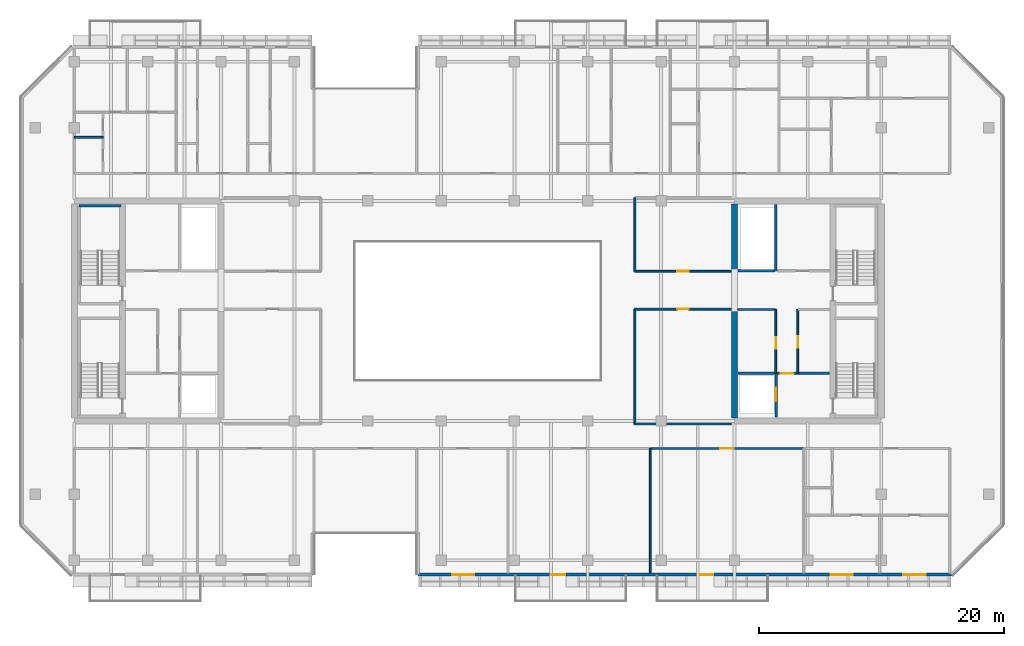
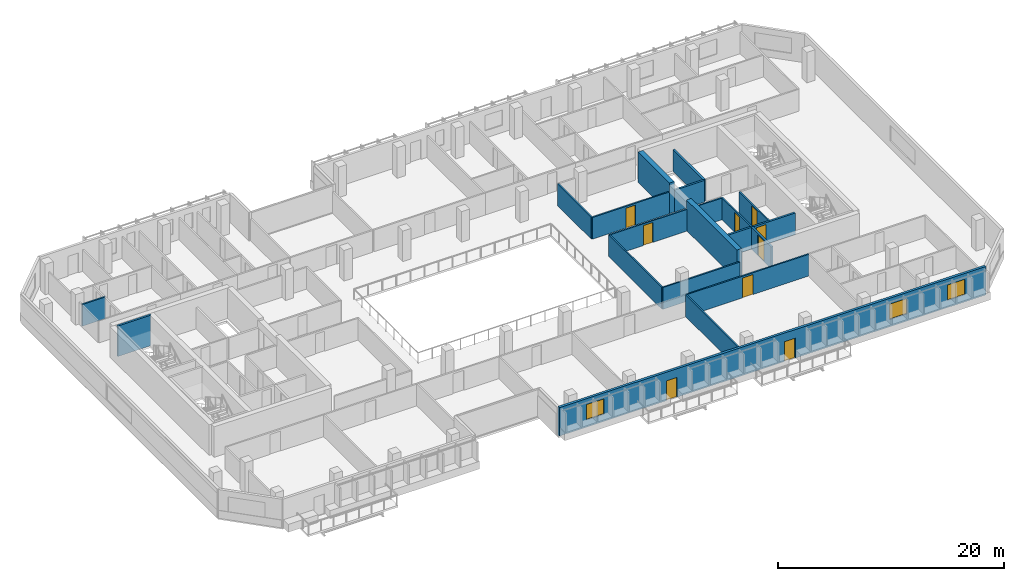
# One storey, part 10 of 19: 19 walls, 9 doors, 3 windows, 12 openings.
"""IFC4 building model written with IfcOpenShell, lengths in metres."""

from ifc_helpers import new_model, si_unit, direction, frame, frame_2d, origin, place, context, subcontext, project, spatial, rectangle, extrude, material, layer, layer_set, type_object, element, fill, save


model = new_model("IFC4")

# Units and contexts
model_context = context("Model", 3, precision=1e-05, world=origin(), true_north=direction((0.0, 1.0)))
body_context = subcontext(model_context, "Body", "Model", "MODEL_VIEW")
ifc_project = project(units=[si_unit("LENGTHUNIT", "METRE"), si_unit("AREAUNIT", "SQUARE_METRE"), si_unit("VOLUMEUNIT", "CUBIC_METRE"), si_unit("PLANEANGLEUNIT", "RADIAN"), si_unit("MASSUNIT", "GRAM", prefix="KILO")], contexts=[model_context])

# Site, building, storey
site_placement = place(None, origin())
site = spatial("IfcSite", under=ifc_project, at=site_placement, CompositionType="ELEMENT")
building_placement = place(site_placement, origin())
building = spatial("IfcBuilding", under=site, at=building_placement, Name="Tanjung Sevakor Pilgrim Tower", CompositionType="ELEMENT")
storey_placement = place(building_placement, frame((0.0, 0.0, 155.10009765625)))
storey = spatial("IfcBuildingStorey", under=building, at=storey_placement, Name="L43", CompositionType="ELEMENT", Elevation=155.10009765625)

# Walls
ifc_material_1 = material(Name="Concrete C60/75", Category="concrete")
ifc_layer_1 = layer(ifc_material_1, 0.5)
ifc_layer_set_1 = layer_set([ifc_layer_1], Name="WALL-CW-500")
wall_type_1 = type_object("IfcWallType", Name="WALL-CW-500", PredefinedType="SHEAR", material=ifc_layer_set_1)
wall_1_placement = place(storey_placement, frame((78.0, 24.85009765625, 0.0), z_axis=(0.0, 0.0, 1.0), x_axis=(0.0, 1.0, 0.0)))
element("IfcWall", 1, at=wall_1_placement, inside=storey, type_object=wall_type_1, Name="L43 E Core Inner Shear Wall South", PredefinedType="SHEAR", context=body_context, shape_type="SweptSolid", body=[
    extrude(rectangle(XDim=8.949951171875, YDim=0.5, at=frame_2d((4.47509765625, 0.0))), origin(), (0.0, 0.0, 1.0), 3.2998046875),
])
wall_2_placement = place(storey_placement, frame((78.0, 36.800048828125, 0.0), z_axis=(0.0, 0.0, 1.0), x_axis=(0.0, 1.0, 0.0)))
element("IfcWall", 2, at=wall_2_placement, inside=storey, type_object=wall_type_1, Name="L43 E Core Inner Shear Wall North", PredefinedType="SHEAR", context=body_context, shape_type="SweptSolid", body=[
    extrude(rectangle(XDim=5.550048828125, YDim=0.5, at=frame_2d((2.77490234375, 0.0))), origin(), (0.0, 0.0, 1.0), 3.2998046875),
])

# Wall, opening, door
ifc_material_2 = material(Name="Concrete C40/50", Category="concrete")
ifc_layer_2 = layer(ifc_material_2, 0.14990234375)
ifc_layer_set_2 = layer_set([ifc_layer_2], Name="WT-COMP-150")
wall_type_2 = type_object("IfcWallType", Name="WT-COMP-150", PredefinedType="SOLIDWALL", material=ifc_layer_set_2)
wall_3_placement = place(storey_placement, frame((83.179931640625, 28.5, 0.0), z_axis=(0.0, 0.0, 1.0), x_axis=(0.0, 1.0, 0.0)))
wall_3 = element("IfcWall", 3, at=wall_3_placement, inside=storey, type_object=wall_type_2, Name="L43 Partition IW-L43-013", PredefinedType="SOLIDWALL", context=body_context, shape_type="SweptSolid", body=[
    extrude(rectangle(XDim=5.219970703125, YDim=0.14990234375, at=frame_2d((2.60986328125, 0.0))), origin(), (0.0, 0.0, 1.0), 2.35009765625),
])
opening_1_placement = place(wall_3_placement, frame((2.10009765625, 0.0, 0.0)))
opening_1 = element("IfcOpeningElement", 4, at=opening_1_placement, cuts=wall_3, Name="Opening ID-FD2", PredefinedType="OPENING", context=body_context, shape_type="SweptSolid", body=[
    extrude(rectangle(XDim=0.949951171875, YDim=2.14990234375, at=frame_2d((0.47509765625, 1.074951171875))), frame((0.0, 0.0849609375, 0.0), z_axis=(0.0, -1.0, 0.0), x_axis=(1.0, 0.0, 0.0)), (0.0, 0.0, 1.0), 0.169921875),
])
ifc_material_3 = material(Name="Fire-Rated Timber", Category="wood")
door_type_1 = type_object("IfcDoorType", Name="DT-FIRE-950", OperationType="NOTDEFINED", PredefinedType="DOOR", material=ifc_material_3)
door_1_placement = place(opening_1_placement, origin())
door_1 = element("IfcDoor", 5, at=door_1_placement, inside=storey, type_object=door_type_1, Name="L43 Housekeeping Pantry Door", OperationType="SINGLE_SWING_LEFT", OverallHeight=2.14990234375, OverallWidth=0.949951171875, PredefinedType="DOOR", context=body_context, shape_type="SweptSolid", body=[
    extrude(rectangle(XDim=0.949951171875, YDim=2.14990234375, at=frame_2d((0.47509765625, 1.074951171875))), frame((0.0, 0.02490234375, 0.0), z_axis=(0.0, -1.0, 0.0), x_axis=(1.0, 0.0, 0.0)), (0.0, 0.0, 1.0), 0.050048828125),
])
fill(opening_1, door_1)

# Wall
wall_4_placement = place(storey_placement, frame((78.27001953125, 33.719970703125, 0.0), z_axis=(0.0, 0.0, 1.0), x_axis=(1.0, 0.0, 0.0)))
element("IfcWall", 6, at=wall_4_placement, inside=storey, type_object=wall_type_2, Name="L43 Partition IW-L43-014", PredefinedType="SOLIDWALL", context=body_context, shape_type="SweptSolid", body=[
    extrude(rectangle(XDim=3.050048828125, YDim=0.14990234375, at=frame_2d((1.52490234375, 0.0))), origin(), (0.0, 0.0, 1.0), 2.35009765625),
])

# Wall, opening, door
wall_5_placement = place(storey_placement, frame((81.3798828125, 28.5, 0.0), z_axis=(0.0, 0.0, 1.0), x_axis=(0.0, 1.0, 0.0)))
wall_5 = element("IfcWall", 7, at=wall_5_placement, inside=storey, type_object=wall_type_2, Name="L43 Partition IW-L43-015", PredefinedType="SOLIDWALL", context=body_context, shape_type="SweptSolid", body=[
    extrude(rectangle(XDim=5.219970703125, YDim=0.14990234375, at=frame_2d((2.60986328125, 0.0))), origin(), (0.0, 0.0, 1.0), 2.35009765625),
])
opening_2_placement = place(wall_5_placement, frame((2.0, 0.0, 0.0)))
opening_2 = element("IfcOpeningElement", 8, at=opening_2_placement, cuts=wall_5, Name="Opening ID-FD2", PredefinedType="OPENING", context=body_context, shape_type="SweptSolid", body=[
    extrude(rectangle(XDim=0.949951171875, YDim=2.14990234375, at=frame_2d((0.47509765625, 1.074951171875))), frame((0.0, 0.0849609375, 0.0), z_axis=(0.0, -1.0, 0.0), x_axis=(1.0, 0.0, 0.0)), (0.0, 0.0, 1.0), 0.169921875),
])
door_2_placement = place(opening_2_placement, origin())
door_2 = element("IfcDoor", 9, at=door_2_placement, inside=storey, type_object=door_type_1, Name="L43 Accessible WC Door", OperationType="SINGLE_SWING_RIGHT", OverallHeight=2.14990234375, OverallWidth=0.949951171875, PredefinedType="DOOR", context=body_context, shape_type="SweptSolid", body=[
    extrude(rectangle(XDim=0.949951171875, YDim=2.14990234375, at=frame_2d((0.47509765625, 1.074951171875))), frame((0.0, 0.02490234375, 0.0), z_axis=(0.0, -1.0, 0.0), x_axis=(1.0, 0.0, 0.0)), (0.0, 0.0, 1.0), 0.050048828125),
])
fill(opening_2, door_2)

# Wall
wall_6_placement = place(storey_placement, frame((69.85009765625, 24.35009765625, 0.0), z_axis=(0.0, 0.0, 1.0), x_axis=(1.0, 0.0, 0.0)))
element("IfcWall", 10, at=wall_6_placement, inside=storey, type_object=wall_type_2, Name="L43 Partition IW-L43-025", PredefinedType="SOLIDWALL", context=body_context, shape_type="SweptSolid", body=[
    extrude(rectangle(XDim=7.8798828125, YDim=0.14990234375, at=frame_2d((3.93994140625, 0.0))), origin(), (0.0, 0.0, 1.0), 2.35009765625),
])

# Wall, opening, door
wall_7_placement = place(storey_placement, frame((69.85009765625, 33.75, 0.0), z_axis=(0.0, 0.0, 1.0), x_axis=(1.0, 0.0, 0.0)))
wall_7 = element("IfcWall", 11, at=wall_7_placement, inside=storey, type_object=wall_type_2, Name="L43 Partition IW-L43-026", PredefinedType="SOLIDWALL", context=body_context, shape_type="SweptSolid", body=[
    extrude(rectangle(XDim=7.8798828125, YDim=0.14990234375, at=frame_2d((3.93994140625, 0.0))), origin(), (0.0, 0.0, 1.0), 2.35009765625),
])
opening_3_placement = place(wall_7_placement, frame((3.465087890625, 0.0, 0.0)))
opening_3 = element("IfcOpeningElement", 12, at=opening_3_placement, cuts=wall_7, Name="Opening ID-RM1", PredefinedType="OPENING", context=body_context, shape_type="SweptSolid", body=[
    extrude(rectangle(XDim=0.949951171875, YDim=2.14990234375, at=frame_2d((0.47509765625, 1.074951171875))), frame((0.0, 0.0849609375, 0.0), z_axis=(0.0, -1.0, 0.0), x_axis=(1.0, 0.0, 0.0)), (0.0, 0.0, 1.0), 0.169921875),
])
ifc_material_4 = material(Name="Hardwood Timber", Category="wood")
door_type_2 = type_object("IfcDoorType", Name="DT-INT-950", OperationType="NOTDEFINED", PredefinedType="DOOR", material=ifc_material_4)
door_3_placement = place(opening_3_placement, origin())
door_3 = element("IfcDoor", 13, at=door_3_placement, inside=storey, type_object=door_type_2, Name="L43 East Inboard South Door", OperationType="SINGLE_SWING_RIGHT", OverallHeight=2.14990234375, OverallWidth=0.949951171875, PredefinedType="DOOR", context=body_context, shape_type="SweptSolid", body=[
    extrude(rectangle(XDim=0.949951171875, YDim=2.14990234375, at=frame_2d((0.47509765625, 1.074951171875))), frame((0.0, 0.02490234375, 0.0), z_axis=(0.0, -1.0, 0.0), x_axis=(1.0, 0.0, 0.0)), (0.0, 0.0, 1.0), 0.050048828125),
])
fill(opening_3, door_3)

# Wall
wall_8_placement = place(storey_placement, frame((69.85009765625, 24.35009765625, 0.0), z_axis=(0.0, 0.0, 1.0), x_axis=(0.0, 1.0, 0.0)))
element("IfcWall", 14, at=wall_8_placement, inside=storey, type_object=wall_type_2, Name="L43 Partition IW-L43-027", PredefinedType="SOLIDWALL", context=body_context, shape_type="SweptSolid", body=[
    extrude(rectangle(XDim=9.39990234375, YDim=0.14990234375, at=frame_2d((4.699951171875, 0.0))), origin(), (0.0, 0.0, 1.0), 2.35009765625),
])

# Wall, opening, door
wall_9_placement = place(storey_placement, frame((69.85009765625, 36.85009765625, 0.0), z_axis=(0.0, 0.0, 1.0), x_axis=(1.0, 0.0, 0.0)))
wall_9 = element("IfcWall", 15, at=wall_9_placement, inside=storey, type_object=wall_type_2, Name="L43 Partition IW-L43-028", PredefinedType="SOLIDWALL", context=body_context, shape_type="SweptSolid", body=[
    extrude(rectangle(XDim=7.8798828125, YDim=0.14990234375, at=frame_2d((3.93994140625, 0.0))), origin(), (0.0, 0.0, 1.0), 2.35009765625),
])
opening_4_placement = place(wall_9_placement, frame((3.465087890625, 0.0, 0.0)))
opening_4 = element("IfcOpeningElement", 16, at=opening_4_placement, cuts=wall_9, Name="Opening ID-RM1", PredefinedType="OPENING", context=body_context, shape_type="SweptSolid", body=[
    extrude(rectangle(XDim=0.949951171875, YDim=2.14990234375, at=frame_2d((0.47509765625, 1.074951171875))), frame((0.0, 0.0849609375, 0.0), z_axis=(0.0, -1.0, 0.0), x_axis=(1.0, 0.0, 0.0)), (0.0, 0.0, 1.0), 0.169921875),
])
door_4_placement = place(opening_4_placement, origin())
door_4 = element("IfcDoor", 17, at=door_4_placement, inside=storey, type_object=door_type_2, Name="L43 East Inboard North Door", OperationType="SINGLE_SWING_LEFT", OverallHeight=2.14990234375, OverallWidth=0.949951171875, PredefinedType="DOOR", context=body_context, shape_type="SweptSolid", body=[
    extrude(rectangle(XDim=0.949951171875, YDim=2.14990234375, at=frame_2d((0.47509765625, 1.074951171875))), frame((0.0, 0.02490234375, 0.0), z_axis=(0.0, -1.0, 0.0), x_axis=(1.0, 0.0, 0.0)), (0.0, 0.0, 1.0), 0.050048828125),
])
fill(opening_4, door_4)

# Walls
wall_10_placement = place(storey_placement, frame((69.85009765625, 36.85009765625, 0.0), z_axis=(0.0, 0.0, 1.0), x_axis=(0.0, 1.0, 0.0)))
element("IfcWall", 18, at=wall_10_placement, inside=storey, type_object=wall_type_2, Name="L43 Partition IW-L43-030", PredefinedType="SOLIDWALL", context=body_context, shape_type="SweptSolid", body=[
    extrude(rectangle(XDim=6.0, YDim=0.14990234375, at=frame_2d((3.0, 0.0))), origin(), (0.0, 0.0, 1.0), 2.35009765625),
])
wall_11_placement = place(storey_placement, frame((71.104248046875, 12.14990234375, 0.0), z_axis=(0.0, 0.0, 1.0), x_axis=(0.0, 1.0, 0.0)))
element("IfcWall", 19, at=wall_11_placement, inside=storey, type_object=wall_type_2, Name="L43 Partition IW-L43-044", PredefinedType="SOLIDWALL", context=body_context, shape_type="SweptSolid", body=[
    extrude(rectangle(XDim=10.2001953125, YDim=0.14990234375, at=frame_2d((5.10009765625, 0.0))), origin(), (0.0, 0.0, 1.0), 2.35009765625),
])

# Wall, opening, door
wall_12_placement = place(storey_placement, frame((71.104248046875, 22.35009765625, 0.0), z_axis=(0.0, 0.0, 1.0), x_axis=(1.0, 0.0, 0.0)))
wall_12 = element("IfcWall", 20, at=wall_12_placement, inside=storey, type_object=wall_type_2, Name="L43 Partition IW-L43-047", PredefinedType="SOLIDWALL", context=body_context, shape_type="SweptSolid", body=[
    extrude(rectangle(XDim=12.553955078125, YDim=0.14990234375, at=frame_2d((6.27685546875, 0.0))), origin(), (0.0, 0.0, 1.0), 2.35009765625),
])
opening_5_placement = place(wall_12_placement, frame((5.72705078125, 0.0, 0.0)))
opening_5 = element("IfcOpeningElement", 21, at=opening_5_placement, cuts=wall_12, Name="Opening ID-FD0", PredefinedType="OPENING", context=body_context, shape_type="SweptSolid", body=[
    extrude(rectangle(XDim=1.10009765625, YDim=2.14990234375, at=frame_2d((0.550048828125, 1.074951171875))), frame((0.0, 0.0849609375, 0.0), z_axis=(0.0, -1.0, 0.0), x_axis=(1.0, 0.0, 0.0)), (0.0, 0.0, 1.0), 0.169921875),
])
ifc_material_5 = material(Name="Fire-Rated Steel S355J2", Category="steel")
door_type_3 = type_object("IfcDoorType", Name="DT-FIRE-1100", OperationType="NOTDEFINED", PredefinedType="DOOR", material=ifc_material_5)
door_5_placement = place(opening_5_placement, origin())
door_5 = element("IfcDoor", 22, at=door_5_placement, inside=storey, type_object=door_type_3, Name="Observatory Door", OperationType="SINGLE_SWING_RIGHT", OverallHeight=2.14990234375, OverallWidth=1.10009765625, PredefinedType="DOOR", context=body_context, shape_type="SweptSolid", body=[
    extrude(rectangle(XDim=1.10009765625, YDim=2.14990234375, at=frame_2d((0.550048828125, 1.074951171875))), frame((0.0, 0.02490234375, 0.0), z_axis=(0.0, -1.0, 0.0), x_axis=(1.0, 0.0, 0.0)), (0.0, 0.0, 1.0), 0.050048828125),
])
fill(opening_5, door_5)

# Wall, openings, doors, windows
ifc_material_6 = material(Name="Precast concrete C45/55", Category="concrete")
ifc_layer_3 = layer(ifc_material_6, 0.25)
ifc_layer_set_3 = layer_set([ifc_layer_3], Name="WT-EW-STN3")
wall_type_3 = type_object("IfcWallType", Name="WT-EW-STN3", PredefinedType="SOLIDWALL", material=ifc_layer_set_3)
wall_13_placement = place(storey_placement, frame((52.125, 12.02490234375, 0.0), z_axis=(0.0, 0.0, 1.0), x_axis=(1.0, 0.0, 0.0)))
wall_13 = element("IfcWall", 23, at=wall_13_placement, inside=storey, type_object=wall_type_3, Name="L43 MAIN Exterior Wall 5", PredefinedType="SOLIDWALL", context=body_context, shape_type="SweptSolid", body=[
    extrude(rectangle(XDim=43.623291015625, YDim=0.25, at=frame_2d((21.8115234375, 0.0))), origin(), (0.0, 0.0, 1.0), 3.080078125),
])
opening_6_placement = place(wall_13_placement, frame((10.925048828125, 0.0, 0.0)))
opening_6 = element("IfcOpeningElement", 24, at=opening_6_placement, cuts=wall_13, Name="Opening ED-BAL-1100", PredefinedType="OPENING", context=body_context, shape_type="SweptSolid", body=[
    extrude(rectangle(XDim=1.10009765625, YDim=2.14990234375, at=frame_2d((0.550048828125, 1.074951171875))), frame((0.0, 0.135009765625, 0.0), z_axis=(0.0, -1.0, 0.0), x_axis=(1.0, 0.0, 0.0)), (0.0, 0.0, 1.0), 0.27001953125),
])
opening_7_placement = place(wall_13_placement, frame((23.02490234375, 0.0, 0.0)))
opening_7 = element("IfcOpeningElement", 25, at=opening_7_placement, cuts=wall_13, Name="Opening ED-BAL-1100", PredefinedType="OPENING", context=body_context, shape_type="SweptSolid", body=[
    extrude(rectangle(XDim=1.10009765625, YDim=2.14990234375, at=frame_2d((0.550048828125, 1.074951171875))), frame((0.0, 0.135009765625, 0.0), z_axis=(0.0, -1.0, 0.0), x_axis=(1.0, 0.0, 0.0)), (0.0, 0.0, 1.0), 0.27001953125),
])
opening_8_placement = place(wall_13_placement, frame((2.769287109375, 0.0, 0.780029296875)))
opening_8 = element("IfcOpeningElement", 26, at=opening_8_placement, cuts=wall_13, Name="Opening WN-Z3-1660", PredefinedType="OPENING", context=body_context, shape_type="SweptSolid", body=[
    extrude(rectangle(XDim=1.800048828125, YDim=1.659912109375, at=frame_2d((0.89990234375, 0.830078125))), frame((0.0, 0.135009765625, 0.0), z_axis=(0.0, -1.0, 0.0), x_axis=(1.0, 0.0, 0.0)), (0.0, 0.0, 1.0), 0.27001953125),
])
opening_9_placement = place(wall_13_placement, frame((33.748291015625, 0.0, 0.780029296875)))
opening_9 = element("IfcOpeningElement", 27, at=opening_9_placement, cuts=wall_13, Name="Opening WN-Z3-1660", PredefinedType="OPENING", context=body_context, shape_type="SweptSolid", body=[
    extrude(rectangle(XDim=1.800048828125, YDim=1.659912109375, at=frame_2d((0.89990234375, 0.830078125))), frame((0.0, 0.135009765625, 0.0), z_axis=(0.0, -1.0, 0.0), x_axis=(1.0, 0.0, 0.0)), (0.0, 0.0, 1.0), 0.27001953125),
])
opening_10_placement = place(wall_13_placement, frame((39.698974609375, 0.0, 0.780029296875)))
opening_10 = element("IfcOpeningElement", 28, at=opening_10_placement, cuts=wall_13, Name="Opening WN-Z3-1660", PredefinedType="OPENING", context=body_context, shape_type="SweptSolid", body=[
    extrude(rectangle(XDim=1.800048828125, YDim=1.659912109375, at=frame_2d((0.89990234375, 0.830078125))), frame((0.0, 0.135009765625, 0.0), z_axis=(0.0, -1.0, 0.0), x_axis=(1.0, 0.0, 0.0)), (0.0, 0.0, 1.0), 0.27001953125),
])
ifc_material_7 = material(Name="Anodised Aluminium and Laminated Glass", Category="aluminium")
door_type_4 = type_object("IfcDoorType", Name="DTYP-ED-BAL-1100", OperationType="NOTDEFINED", PredefinedType="DOOR", material=ifc_material_7)
door_6_placement = place(opening_6_placement, frame((1.10009765625, 0.0, 0.0), z_axis=(0.0, 0.0, 1.0), x_axis=(-1.0, 0.0, 0.0)))
door_6 = element("IfcDoor", 29, at=door_6_placement, inside=storey, type_object=door_type_4, Name="L43 Balcony Door MAIN-S2", OperationType="SINGLE_SWING_LEFT", OverallHeight=2.14990234375, OverallWidth=1.10009765625, PredefinedType="DOOR", context=body_context, shape_type="SweptSolid", body=[
    extrude(rectangle(XDim=1.10009765625, YDim=2.14990234375, at=frame_2d((0.550048828125, 1.074951171875))), frame((0.0, 0.02490234375, 0.0), z_axis=(0.0, -1.0, 0.0), x_axis=(1.0, 0.0, 0.0)), (0.0, 0.0, 1.0), 0.050048828125),
])
fill(opening_6, door_6)
door_7_placement = place(opening_7_placement, frame((1.10009765625, 0.0, 0.0), z_axis=(0.0, 0.0, 1.0), x_axis=(-1.0, 0.0, 0.0)))
door_7 = element("IfcDoor", 30, at=door_7_placement, inside=storey, type_object=door_type_4, Name="L43 Balcony Door MAIN-S3", OperationType="SINGLE_SWING_RIGHT", OverallHeight=2.14990234375, OverallWidth=1.10009765625, PredefinedType="DOOR", context=body_context, shape_type="SweptSolid", body=[
    extrude(rectangle(XDim=1.10009765625, YDim=2.14990234375, at=frame_2d((0.550048828125, 1.074951171875))), frame((0.0, 0.02490234375, 0.0), z_axis=(0.0, -1.0, 0.0), x_axis=(1.0, 0.0, 0.0)), (0.0, 0.0, 1.0), 0.050048828125),
])
fill(opening_7, door_7)
ifc_material_8 = material(Name="Thermally Broken Aluminium and Low-E Glass", Category="aluminium")
window_type = type_object("IfcWindowType", Name="WTYP-WN-Z3-1660", PartitioningType="DOUBLE_PANEL_VERTICAL", PredefinedType="WINDOW", material=ifc_material_8)
window_1_placement = place(opening_8_placement, origin())
window_1 = element("IfcWindow", 31, at=window_1_placement, inside=storey, type_object=window_type, Name="L43 Facade Window 01", OverallHeight=1.659912109375, OverallWidth=1.800048828125, PartitioningType="SINGLE_PANEL", PredefinedType="WINDOW", context=body_context, shape_type="SweptSolid", body=[
    extrude(rectangle(XDim=1.800048828125, YDim=1.659912109375, at=frame_2d((0.89990234375, 0.830078125))), frame((0.0, 0.030029296875, 0.0), z_axis=(0.0, -1.0, 0.0), x_axis=(1.0, 0.0, 0.0)), (0.0, 0.0, 1.0), 0.06005859375),
])
fill(opening_8, window_1)
window_2_placement = place(opening_9_placement, origin())
window_2 = element("IfcWindow", 32, at=window_2_placement, inside=storey, type_object=window_type, Name="L43 Facade Window 02", OverallHeight=1.659912109375, OverallWidth=1.800048828125, PartitioningType="SINGLE_PANEL", PredefinedType="WINDOW", context=body_context, shape_type="SweptSolid", body=[
    extrude(rectangle(XDim=1.800048828125, YDim=1.659912109375, at=frame_2d((0.89990234375, 0.830078125))), frame((0.0, 0.030029296875, 0.0), z_axis=(0.0, -1.0, 0.0), x_axis=(1.0, 0.0, 0.0)), (0.0, 0.0, 1.0), 0.06005859375),
])
fill(opening_9, window_2)
window_3_placement = place(opening_10_placement, origin())
window_3 = element("IfcWindow", 33, at=window_3_placement, inside=storey, type_object=window_type, Name="L43 Facade Window 03", OverallHeight=1.659912109375, OverallWidth=1.800048828125, PartitioningType="SINGLE_PANEL", PredefinedType="WINDOW", context=body_context, shape_type="SweptSolid", body=[
    extrude(rectangle(XDim=1.800048828125, YDim=1.659912109375, at=frame_2d((0.89990234375, 0.830078125))), frame((0.0, 0.030029296875, 0.0), z_axis=(0.0, -1.0, 0.0), x_axis=(1.0, 0.0, 0.0)), (0.0, 0.0, 1.0), 0.06005859375),
])
fill(opening_10, window_3)

# Wall
ifc_material_9 = material(Name="Concrete C40/50", Category="concrete")
ifc_layer_4 = layer(ifc_material_9, 0.199951171875)
ifc_layer_set_4 = layer_set([ifc_layer_4], Name="WT-FIRE-200")
wall_type_4 = type_object("IfcWallType", Name="WT-FIRE-200", PredefinedType="SOLIDWALL", material=ifc_layer_set_4)
wall_14_placement = place(storey_placement, frame((27.800048828125, 42.199951171875, 0.0), z_axis=(0.0, 0.0, 1.0), x_axis=(-1.0, 0.0, 0.0)))
element("IfcWall", 34, at=wall_14_placement, inside=storey, type_object=wall_type_4, Name="L43 TS-W2 Shaft Wall 2", PredefinedType="SOLIDWALL", context=body_context, shape_type="SweptSolid", body=[
    extrude(rectangle(XDim=3.400146484375, YDim=0.199951171875, at=frame_2d((1.7001953125, 0.0))), origin(), (0.0, 0.0, 1.0), 3.2998046875),
])

# Wall, opening, door
ifc_material_10 = material(Name="Concrete C40/50", Category="concrete")
ifc_layer_5 = layer(ifc_material_10, 0.199951171875)
ifc_layer_set_5 = layer_set([ifc_layer_5], Name="WT-FPRT-200")
wall_type_5 = type_object("IfcWallType", Name="WT-FPRT-200", PredefinedType="SOLIDWALL", material=ifc_layer_set_5)
wall_15_placement = place(storey_placement, frame((81.39990234375, 24.919921875, 0.0), z_axis=(0.0, 0.0, 1.0), x_axis=(0.0, 1.0, 0.0)))
wall_15 = element("IfcWall", 35, at=wall_15_placement, inside=storey, type_object=wall_type_5, Name="L43 Partition IW-L43-010", PredefinedType="SOLIDWALL", context=body_context, shape_type="SweptSolid", body=[
    extrude(rectangle(XDim=3.580078125, YDim=0.199951171875, at=frame_2d((1.7900390625, 0.0))), origin(), (0.0, 0.0, 1.0), 2.35009765625),
])
opening_11_placement = place(wall_15_placement, frame((1.300048828125, 0.0, 0.0)))
opening_11 = element("IfcOpeningElement", 36, at=opening_11_placement, cuts=wall_15, Name="Opening LD-1100", PredefinedType="OPENING", context=body_context, shape_type="SweptSolid", body=[
    extrude(rectangle(XDim=1.10009765625, YDim=2.199951171875, at=frame_2d((0.550048828125, 1.10009765625))), frame((0.0, 0.10986328125, 0.0), z_axis=(0.0, -1.0, 0.0), x_axis=(1.0, 0.0, 0.0)), (0.0, 0.0, 1.0), 0.219970703125),
])
ifc_material_11 = material(Name="Brushed Stainless Steel S355J2", Category="steel")
door_type_5 = type_object("IfcDoorType", Name="DT-LIFT-1100", OperationType="SLIDING_TO_LEFT", PredefinedType="DOOR", material=ifc_material_11)
door_8_placement = place(opening_11_placement, origin())
door_8 = element("IfcDoor", 37, at=door_8_placement, inside=storey, type_object=door_type_5, Name="LD-FL-E", OperationType="SLIDING_TO_LEFT", OverallHeight=2.199951171875, OverallWidth=1.10009765625, PredefinedType="DOOR", context=body_context, shape_type="SweptSolid", body=[
    extrude(rectangle(XDim=1.10009765625, YDim=2.199951171875, at=frame_2d((0.550048828125, 1.10009765625))), frame((0.0, 0.02490234375, 0.0), z_axis=(0.0, -1.0, 0.0), x_axis=(1.0, 0.0, 0.0)), (0.0, 0.0, 1.0), 0.050048828125),
])
fill(opening_11, door_8)

wall_16_placement = place(storey_placement, frame((78.27001953125, 28.5, 0.0), z_axis=(0.0, 0.0, 1.0), x_axis=(1.0, 0.0, 0.0)))
wall_16 = element("IfcWall", 38, at=wall_16_placement, inside=storey, type_object=wall_type_5, Name="L43 Partition IW-L43-011", PredefinedType="SOLIDWALL", context=body_context, shape_type="SweptSolid", body=[
    extrude(rectangle(XDim=7.510009765625, YDim=0.199951171875, at=frame_2d((3.7548828125, 0.0))), origin(), (0.0, 0.0, 1.0), 2.35009765625),
])
opening_12_placement = place(wall_16_placement, frame((3.530029296875, 0.0, 0.0)))
opening_12 = element("IfcOpeningElement", 39, at=opening_12_placement, cuts=wall_16, Name="Opening ID-FD1", PredefinedType="OPENING", context=body_context, shape_type="SweptSolid", body=[
    extrude(rectangle(XDim=1.0, YDim=2.14990234375, at=frame_2d((0.5, 1.074951171875))), frame((0.0, 0.10986328125, 0.0), z_axis=(0.0, -1.0, 0.0), x_axis=(1.0, 0.0, 0.0)), (0.0, 0.0, 1.0), 0.219970703125),
])
ifc_material_12 = material(Name="Fire-Rated Steel S355J2", Category="steel")
door_type_6 = type_object("IfcDoorType", Name="DT-FIRE-1000", OperationType="NOTDEFINED", PredefinedType="DOOR", material=ifc_material_12)
door_9_placement = place(opening_12_placement, origin())
door_9 = element("IfcDoor", 40, at=door_9_placement, inside=storey, type_object=door_type_6, Name="Fire Lobby Door E", OperationType="SINGLE_SWING_RIGHT", OverallHeight=2.14990234375, OverallWidth=1.0, PredefinedType="DOOR", context=body_context, shape_type="SweptSolid", body=[
    extrude(rectangle(XDim=1.0, YDim=2.14990234375, at=frame_2d((0.5, 1.074951171875))), frame((0.0, 0.02490234375, 0.0), z_axis=(0.0, -1.0, 0.0), x_axis=(1.0, 0.0, 0.0)), (0.0, 0.0, 1.0), 0.050048828125),
])
fill(opening_12, door_9)

# Walls
wall_17_placement = place(storey_placement, frame((78.27001953125, 36.8798828125, 0.0), z_axis=(0.0, 0.0, 1.0), x_axis=(1.0, 0.0, 0.0)))
element("IfcWall", 41, at=wall_17_placement, inside=storey, type_object=wall_type_5, Name="L43 Partition IW-L43-017", PredefinedType="SOLIDWALL", context=body_context, shape_type="SweptSolid", body=[
    extrude(rectangle(XDim=3.050048828125, YDim=0.199951171875, at=frame_2d((1.52490234375, 0.0))), origin(), (0.0, 0.0, 1.0), 2.35009765625),
])
wall_18_placement = place(storey_placement, frame((81.3798828125, 36.8798828125, 0.0), z_axis=(0.0, 0.0, 1.0), x_axis=(0.0, 1.0, 0.0)))
element("IfcWall", 42, at=wall_18_placement, inside=storey, type_object=wall_type_5, Name="L43 Partition IW-L43-018", PredefinedType="SOLIDWALL", context=body_context, shape_type="SweptSolid", body=[
    extrude(rectangle(XDim=5.420166015625, YDim=0.199951171875, at=frame_2d((2.7099609375, 0.0))), origin(), (0.0, 0.0, 1.0), 2.35009765625),
])
ifc_material_13 = material(Name="Gypsum Board Partition", Category="gypsum board")
ifc_layer_6 = layer(ifc_material_13, 0.14990234375)
ifc_layer_set_6 = layer_set([ifc_layer_6], Name="WT-PART-150")
wall_type_6 = type_object("IfcWallType", Name="WT-PART-150", PredefinedType="PARTITIONING", material=ifc_layer_set_6)
wall_19_placement = place(storey_placement, frame((24.0, 47.800048828125, 0.0), z_axis=(0.0, 0.0, 1.0), x_axis=(1.0, 0.0, 0.0)))
element("IfcWall", 43, at=wall_19_placement, inside=storey, type_object=wall_type_6, Name="L43 Partition IW-L43-055", PredefinedType="PARTITIONING", context=body_context, shape_type="SweptSolid", body=[
    extrude(rectangle(XDim=2.35009765625, YDim=0.14990234375, at=frame_2d((1.175048828125, 0.0))), origin(), (0.0, 0.0, 1.0), 2.35009765625),
])

save(model, "model.ifc")
